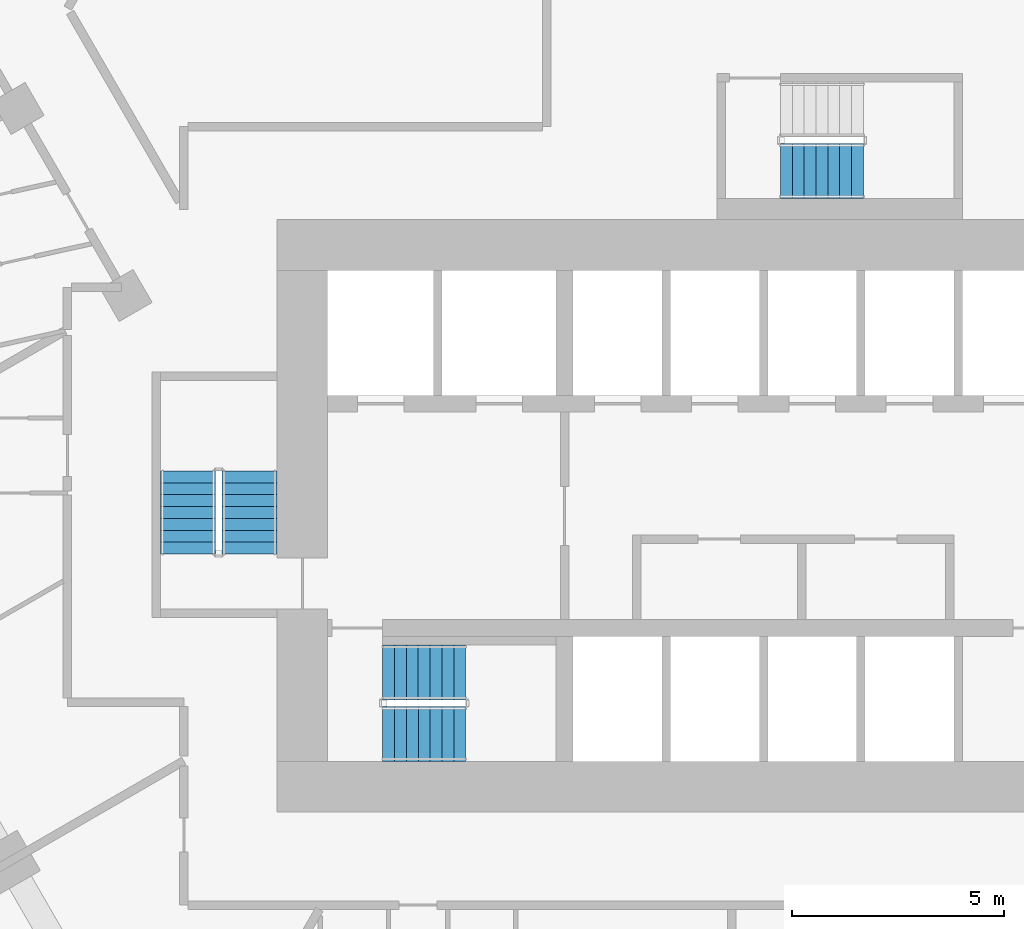
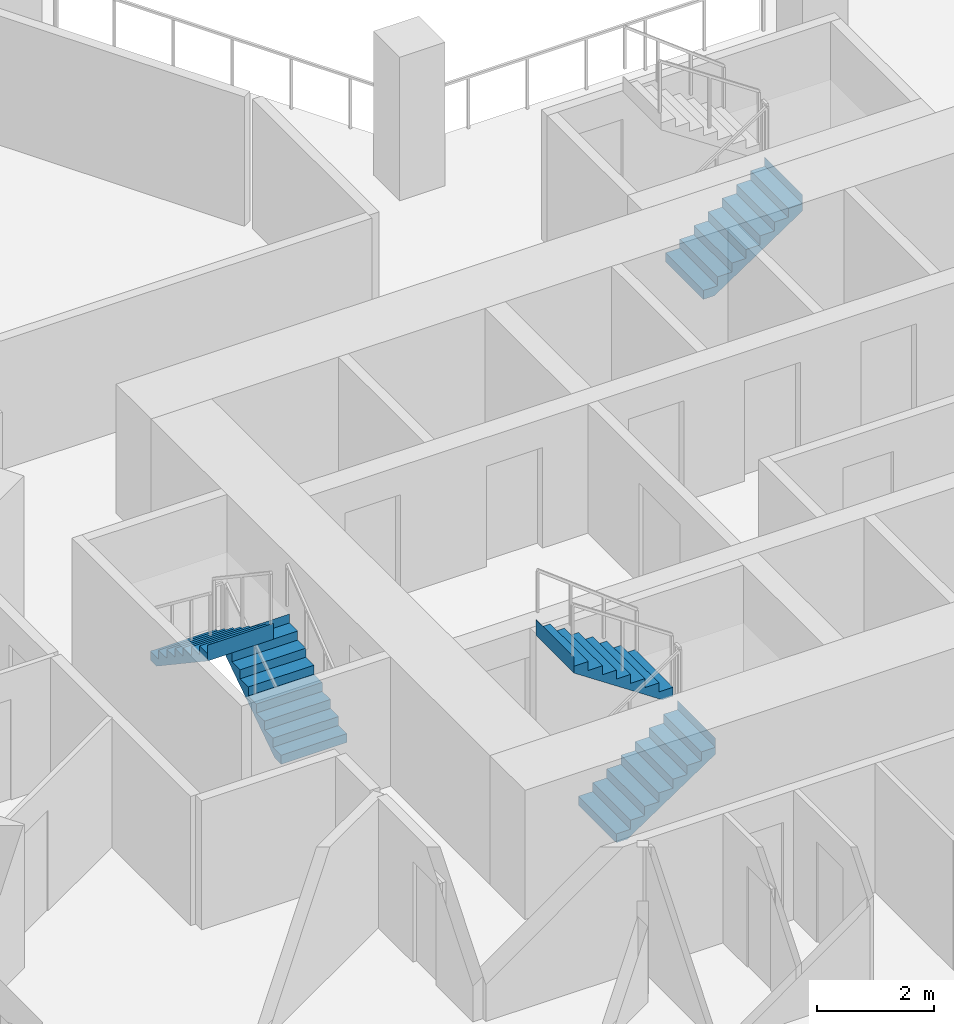
# One storey, part 11 of 16: 5 stair flights, 3 elements without a shape of their own.
"""IFC4 building model written with IfcOpenShell, lengths in metres."""

from ifc_helpers import new_model, si_unit, direction, frame, origin, place, context, subcontext, project, spatial, triangles, material, type_object, element, aggregate, save


model = new_model("IFC4")

# Units and contexts
model_context = context("Model", 3, precision=1e-05, world=origin(), true_north=direction((0.0, 1.0)))
body_context = subcontext(model_context, "Body", "Model", "MODEL_VIEW")
ifc_project = project(units=[si_unit("LENGTHUNIT", "METRE"), si_unit("AREAUNIT", "SQUARE_METRE"), si_unit("VOLUMEUNIT", "CUBIC_METRE"), si_unit("PLANEANGLEUNIT", "RADIAN"), si_unit("MASSUNIT", "GRAM", prefix="KILO")], contexts=[model_context])

# Site, building, storey
site_placement = place(None, origin())
site = spatial("IfcSite", under=ifc_project, at=site_placement, CompositionType="ELEMENT")
building_placement = place(site_placement, origin())
building = spatial("IfcBuilding", under=site, at=building_placement, Name="Beryl Residences", CompositionType="ELEMENT")
storey_placement = place(building_placement, frame((0.0, 0.0, 44.39990234375)))
storey = spatial("IfcBuildingStorey", under=building, at=storey_placement, Name="L13", CompositionType="ELEMENT", Elevation=44.39990234375)

# Stair, stair flights
ifc_material_1 = material(Name="Concrete C40/50", Category="concrete")
stair_type = type_object("IfcStairType", Name="ST1 protected exit stair, half-turn, 1300 mm flights", PredefinedType="HALF_TURN_STAIR", material=ifc_material_1)
stair_1_placement = place(storey_placement, origin())
stair_1 = element("IfcStair", 1, at=stair_1_placement, inside=storey, type_object=stair_type, Name="L13 PROTECTED EXIT STAIR ST-1", PredefinedType="HALF_TURN_STAIR")
ifc_material_2 = material(Name="Concrete C40/50", Category="concrete")
stair_flight_type = type_object("IfcStairFlightType", Name="SF1 stair flight 1300 mm", PredefinedType="STRAIGHT", material=ifc_material_2)
stair_flight_1_placement = place(storey_placement, frame((-10.800048828125, -17.14990234375, 0.0), z_axis=(0.0, 0.0, 1.0), x_axis=(1.0, 0.0, 0.0)))
stair_flight_1 = element("IfcStairFlight", 2, at=stair_flight_1_placement, type_object=stair_flight_type, Name="ST-1 flight 1", NumberOfRisers=8, NumberOfTreads=7, PredefinedType="STRAIGHT", RiserHeight=0.1875, TreadLength=0.28, context=body_context, shape_type="Tessellation", body=[
    triangles([(0.0, -0.64990234375, 0.0), (0.0, -0.324951171875, 0.0), (0.0, 0.0, 0.0), (0.0, 0.324951171875, 0.0), (0.0, 0.64990234375, 0.0), (0.0, -0.64990234375, 0.1875), (0.0, -0.324951171875, 0.1875), (0.0, 0.0, 0.1875), (0.0, 0.324951171875, 0.1875), (0.0, 0.64990234375, 0.1875), (0.280029296875, -0.64990234375, 0.1875), (0.280029296875, -0.324951171875, 0.1875), (0.280029296875, 0.0, 0.1875), (0.280029296875, 0.324951171875, 0.1875), (0.280029296875, 0.64990234375, 0.1875), (0.280029296875, -0.64990234375, 0.375), (0.280029296875, -0.324951171875, 0.375), (0.280029296875, 0.0, 0.375), (0.280029296875, 0.324951171875, 0.375), (0.280029296875, 0.64990234375, 0.375), (0.56005859375, -0.64990234375, 0.375), (0.56005859375, -0.324951171875, 0.375), (0.56005859375, 0.0, 0.375), (0.56005859375, 0.324951171875, 0.375), (0.56005859375, 0.64990234375, 0.375), (0.56005859375, -0.64990234375, 0.5625), (0.56005859375, -0.324951171875, 0.5625), (0.56005859375, 0.0, 0.5625), (0.56005859375, 0.324951171875, 0.5625), (0.56005859375, 0.64990234375, 0.5625), (0.840087890625, -0.64990234375, 0.5625), (0.840087890625, -0.324951171875, 0.5625), (0.840087890625, 0.0, 0.5625), (0.840087890625, 0.324951171875, 0.5625), (0.840087890625, 0.64990234375, 0.5625), (0.840087890625, -0.64990234375, 0.75), (0.840087890625, -0.324951171875, 0.75), (0.840087890625, 0.0, 0.75), (0.840087890625, 0.324951171875, 0.75), (0.840087890625, 0.64990234375, 0.75), (1.1201171875, -0.64990234375, 0.75), (1.1201171875, -0.324951171875, 0.75), (1.1201171875, 0.0, 0.75), (1.1201171875, 0.324951171875, 0.75), (1.1201171875, 0.64990234375, 0.75), (1.1201171875, -0.64990234375, 0.9375), (1.1201171875, -0.324951171875, 0.9375), (1.1201171875, 0.0, 0.9375), (1.1201171875, 0.324951171875, 0.9375), (1.1201171875, 0.64990234375, 0.9375), (1.39990234375, -0.64990234375, 0.9375), (1.39990234375, -0.324951171875, 0.9375), (1.39990234375, 0.0, 0.9375), (1.39990234375, 0.324951171875, 0.9375), (1.39990234375, 0.64990234375, 0.9375), (1.39990234375, -0.64990234375, 1.125), (1.39990234375, -0.324951171875, 1.125), (1.39990234375, 0.0, 1.125), (1.39990234375, 0.324951171875, 1.125), (1.39990234375, 0.64990234375, 1.125), (1.679931640625, -0.64990234375, 1.125), (1.679931640625, -0.324951171875, 1.125), (1.679931640625, 0.0, 1.125), (1.679931640625, 0.324951171875, 1.125), (1.679931640625, 0.64990234375, 1.125), (1.679931640625, -0.64990234375, 1.3125), (1.679931640625, -0.324951171875, 1.3125), (1.679931640625, 0.0, 1.3125), (1.679931640625, 0.324951171875, 1.3125), (1.679931640625, 0.64990234375, 1.3125), (1.9599609375, -0.64990234375, 1.3125), (1.9599609375, -0.324951171875, 1.3125), (1.9599609375, 0.0, 1.3125), (1.9599609375, 0.324951171875, 1.3125), (1.9599609375, 0.64990234375, 1.3125), (1.9599609375, -0.64990234375, 1.5), (1.9599609375, -0.324951171875, 1.5), (1.9599609375, 0.0, 1.5), (1.9599609375, 0.324951171875, 1.5), (1.9599609375, 0.64990234375, 1.5), (1.9609375, -0.64990234375, 1.5), (1.9609375, -0.324951171875, 1.5), (1.9609375, 0.0, 1.5), (1.9609375, 0.324951171875, 1.5), (1.9609375, 0.64990234375, 1.5), (1.9609375, -0.64990234375, 1.16796875), (1.9609375, -0.324951171875, 1.16796875), (1.9609375, 0.0, 1.16796875), (1.9609375, 0.324951171875, 1.16796875), (1.9609375, 0.64990234375, 1.16796875), (0.216796875, -0.64990234375, 0.0), (0.216796875, -0.324951171875, 0.0), (0.216796875, 0.0, 0.0), (0.216796875, 0.324951171875, 0.0), (0.216796875, 0.64990234375, 0.0)], [[1, 6, 7], [1, 7, 2], [2, 7, 8], [2, 8, 3], [3, 8, 9], [3, 9, 4], [4, 9, 10], [4, 10, 5], [6, 11, 12], [6, 12, 7], [7, 12, 13], [7, 13, 8], [8, 13, 14], [8, 14, 9], [9, 14, 15], [9, 15, 10], [11, 16, 17], [11, 17, 12], [12, 17, 18], [12, 18, 13], [13, 18, 19], [13, 19, 14], [14, 19, 20], [14, 20, 15], [16, 21, 22], [16, 22, 17], [17, 22, 23], [17, 23, 18], [18, 23, 24], [18, 24, 19], [19, 24, 25], [19, 25, 20], [21, 26, 27], [21, 27, 22], [22, 27, 28], [22, 28, 23], [23, 28, 29], [23, 29, 24], [24, 29, 30], [24, 30, 25], [26, 31, 32], [26, 32, 27], [27, 32, 33], [27, 33, 28], [28, 33, 34], [28, 34, 29], [29, 34, 35], [29, 35, 30], [31, 36, 37], [31, 37, 32], [32, 37, 38], [32, 38, 33], [33, 38, 39], [33, 39, 34], [34, 39, 40], [34, 40, 35], [36, 41, 42], [36, 42, 37], [37, 42, 43], [37, 43, 38], [38, 43, 44], [38, 44, 39], [39, 44, 45], [39, 45, 40], [41, 46, 47], [41, 47, 42], [42, 47, 48], [42, 48, 43], [43, 48, 49], [43, 49, 44], [44, 49, 50], [44, 50, 45], [46, 51, 52], [46, 52, 47], [47, 52, 53], [47, 53, 48], [48, 53, 54], [48, 54, 49], [49, 54, 55], [49, 55, 50], [51, 56, 57], [51, 57, 52], [52, 57, 58], [52, 58, 53], [53, 58, 59], [53, 59, 54], [54, 59, 60], [54, 60, 55], [56, 61, 62], [56, 62, 57], [57, 62, 63], [57, 63, 58], [58, 63, 64], [58, 64, 59], [59, 64, 65], [59, 65, 60], [61, 66, 67], [61, 67, 62], [62, 67, 68], [62, 68, 63], [63, 68, 69], [63, 69, 64], [64, 69, 70], [64, 70, 65], [66, 71, 72], [66, 72, 67], [67, 72, 73], [67, 73, 68], [68, 73, 74], [68, 74, 69], [69, 74, 75], [69, 75, 70], [71, 76, 77], [71, 77, 72], [72, 77, 78], [72, 78, 73], [73, 78, 79], [73, 79, 74], [74, 79, 80], [74, 80, 75], [76, 81, 82], [76, 82, 77], [77, 82, 83], [77, 83, 78], [78, 83, 84], [78, 84, 79], [79, 84, 85], [79, 85, 80], [81, 86, 87], [81, 87, 82], [82, 87, 88], [82, 88, 83], [83, 88, 89], [83, 89, 84], [84, 89, 90], [84, 90, 85], [86, 91, 92], [86, 92, 87], [87, 92, 93], [87, 93, 88], [88, 93, 94], [88, 94, 89], [89, 94, 95], [89, 95, 90], [91, 1, 2], [91, 2, 92], [92, 2, 3], [92, 3, 93], [93, 3, 4], [93, 4, 94], [94, 4, 5], [94, 5, 95], [1, 91, 86], [5, 90, 95], [86, 81, 76], [90, 80, 85], [86, 76, 71], [90, 75, 80], [86, 71, 66], [90, 70, 75], [86, 66, 61], [90, 65, 70], [61, 56, 51], [65, 55, 60], [86, 61, 51], [90, 55, 65], [51, 46, 41], [55, 45, 50], [86, 51, 41], [90, 45, 55], [41, 36, 31], [45, 35, 40], [86, 41, 31], [90, 35, 45], [31, 26, 21], [35, 25, 30], [86, 31, 21], [90, 25, 35], [21, 16, 11], [25, 15, 20], [86, 21, 11], [90, 15, 25], [1, 86, 11], [5, 15, 90], [11, 6, 1], [15, 5, 10]], closed=True),
])
stair_flight_2_placement = place(storey_placement, frame((-8.840087890625, -15.699951171875, 1.5), z_axis=(0.0, 0.0, 1.0), x_axis=(-1.0, 0.0, 0.0)))
stair_flight_2 = element("IfcStairFlight", 3, at=stair_flight_2_placement, type_object=stair_flight_type, Name="ST-1 flight 2", NumberOfRisers=8, NumberOfTreads=7, PredefinedType="STRAIGHT", RiserHeight=0.1875, TreadLength=0.28, context=body_context, shape_type="Tessellation", body=[
    triangles([(0.0, -0.64990234375, 0.0), (0.0, -0.324951171875, 0.0), (0.0, 0.0, 0.0), (0.0, 0.324951171875, 0.0), (0.0, 0.64990234375, 0.0), (0.0, -0.64990234375, 0.1875), (0.0, -0.324951171875, 0.1875), (0.0, 0.0, 0.1875), (0.0, 0.324951171875, 0.1875), (0.0, 0.64990234375, 0.1875), (0.280029296875, -0.64990234375, 0.1875), (0.280029296875, -0.324951171875, 0.1875), (0.280029296875, 0.0, 0.1875), (0.280029296875, 0.324951171875, 0.1875), (0.280029296875, 0.64990234375, 0.1875), (0.280029296875, -0.64990234375, 0.375), (0.280029296875, -0.324951171875, 0.375), (0.280029296875, 0.0, 0.375), (0.280029296875, 0.324951171875, 0.375), (0.280029296875, 0.64990234375, 0.375), (0.56005859375, -0.64990234375, 0.375), (0.56005859375, -0.324951171875, 0.375), (0.56005859375, 0.0, 0.375), (0.56005859375, 0.324951171875, 0.375), (0.56005859375, 0.64990234375, 0.375), (0.56005859375, -0.64990234375, 0.5625), (0.56005859375, -0.324951171875, 0.5625), (0.56005859375, 0.0, 0.5625), (0.56005859375, 0.324951171875, 0.5625), (0.56005859375, 0.64990234375, 0.5625), (0.840087890625, -0.64990234375, 0.5625), (0.840087890625, -0.324951171875, 0.5625), (0.840087890625, 0.0, 0.5625), (0.840087890625, 0.324951171875, 0.5625), (0.840087890625, 0.64990234375, 0.5625), (0.840087890625, -0.64990234375, 0.75), (0.840087890625, -0.324951171875, 0.75), (0.840087890625, 0.0, 0.75), (0.840087890625, 0.324951171875, 0.75), (0.840087890625, 0.64990234375, 0.75), (1.1201171875, -0.64990234375, 0.75), (1.1201171875, -0.324951171875, 0.75), (1.1201171875, 0.0, 0.75), (1.1201171875, 0.324951171875, 0.75), (1.1201171875, 0.64990234375, 0.75), (1.1201171875, -0.64990234375, 0.9375), (1.1201171875, -0.324951171875, 0.9375), (1.1201171875, 0.0, 0.9375), (1.1201171875, 0.324951171875, 0.9375), (1.1201171875, 0.64990234375, 0.9375), (1.39990234375, -0.64990234375, 0.9375), (1.39990234375, -0.324951171875, 0.9375), (1.39990234375, 0.0, 0.9375), (1.39990234375, 0.324951171875, 0.9375), (1.39990234375, 0.64990234375, 0.9375), (1.39990234375, -0.64990234375, 1.125), (1.39990234375, -0.324951171875, 1.125), (1.39990234375, 0.0, 1.125), (1.39990234375, 0.324951171875, 1.125), (1.39990234375, 0.64990234375, 1.125), (1.679931640625, -0.64990234375, 1.125), (1.679931640625, -0.324951171875, 1.125), (1.679931640625, 0.0, 1.125), (1.679931640625, 0.324951171875, 1.125), (1.679931640625, 0.64990234375, 1.125), (1.679931640625, -0.64990234375, 1.3125), (1.679931640625, -0.324951171875, 1.3125), (1.679931640625, 0.0, 1.3125), (1.679931640625, 0.324951171875, 1.3125), (1.679931640625, 0.64990234375, 1.3125), (1.9599609375, -0.64990234375, 1.3125), (1.9599609375, -0.324951171875, 1.3125), (1.9599609375, 0.0, 1.3125), (1.9599609375, 0.324951171875, 1.3125), (1.9599609375, 0.64990234375, 1.3125), (1.9599609375, -0.64990234375, 1.5), (1.9599609375, -0.324951171875, 1.5), (1.9599609375, 0.0, 1.5), (1.9599609375, 0.324951171875, 1.5), (1.9599609375, 0.64990234375, 1.5), (1.9609375, -0.64990234375, 1.5), (1.9609375, -0.324951171875, 1.5), (1.9609375, 0.0, 1.5), (1.9609375, 0.324951171875, 1.5), (1.9609375, 0.64990234375, 1.5), (1.9609375, -0.64990234375, 1.16796875), (1.9609375, -0.324951171875, 1.16796875), (1.9609375, 0.0, 1.16796875), (1.9609375, 0.324951171875, 1.16796875), (1.9609375, 0.64990234375, 1.16796875), (0.216796875, -0.64990234375, 0.0), (0.216796875, -0.324951171875, 0.0), (0.216796875, 0.0, 0.0), (0.216796875, 0.324951171875, 0.0), (0.216796875, 0.64990234375, 0.0)], [[1, 6, 7], [1, 7, 2], [2, 7, 8], [2, 8, 3], [3, 8, 9], [3, 9, 4], [4, 9, 10], [4, 10, 5], [6, 11, 12], [6, 12, 7], [7, 12, 13], [7, 13, 8], [8, 13, 14], [8, 14, 9], [9, 14, 15], [9, 15, 10], [11, 16, 17], [11, 17, 12], [12, 17, 18], [12, 18, 13], [13, 18, 19], [13, 19, 14], [14, 19, 20], [14, 20, 15], [16, 21, 22], [16, 22, 17], [17, 22, 23], [17, 23, 18], [18, 23, 24], [18, 24, 19], [19, 24, 25], [19, 25, 20], [21, 26, 27], [21, 27, 22], [22, 27, 28], [22, 28, 23], [23, 28, 29], [23, 29, 24], [24, 29, 30], [24, 30, 25], [26, 31, 32], [26, 32, 27], [27, 32, 33], [27, 33, 28], [28, 33, 34], [28, 34, 29], [29, 34, 35], [29, 35, 30], [31, 36, 37], [31, 37, 32], [32, 37, 38], [32, 38, 33], [33, 38, 39], [33, 39, 34], [34, 39, 40], [34, 40, 35], [36, 41, 42], [36, 42, 37], [37, 42, 43], [37, 43, 38], [38, 43, 44], [38, 44, 39], [39, 44, 45], [39, 45, 40], [41, 46, 47], [41, 47, 42], [42, 47, 48], [42, 48, 43], [43, 48, 49], [43, 49, 44], [44, 49, 50], [44, 50, 45], [46, 51, 52], [46, 52, 47], [47, 52, 53], [47, 53, 48], [48, 53, 54], [48, 54, 49], [49, 54, 55], [49, 55, 50], [51, 56, 57], [51, 57, 52], [52, 57, 58], [52, 58, 53], [53, 58, 59], [53, 59, 54], [54, 59, 60], [54, 60, 55], [56, 61, 62], [56, 62, 57], [57, 62, 63], [57, 63, 58], [58, 63, 64], [58, 64, 59], [59, 64, 65], [59, 65, 60], [61, 66, 67], [61, 67, 62], [62, 67, 68], [62, 68, 63], [63, 68, 69], [63, 69, 64], [64, 69, 70], [64, 70, 65], [66, 71, 72], [66, 72, 67], [67, 72, 73], [67, 73, 68], [68, 73, 74], [68, 74, 69], [69, 74, 75], [69, 75, 70], [71, 76, 77], [71, 77, 72], [72, 77, 78], [72, 78, 73], [73, 78, 79], [73, 79, 74], [74, 79, 80], [74, 80, 75], [76, 81, 82], [76, 82, 77], [77, 82, 83], [77, 83, 78], [78, 83, 84], [78, 84, 79], [79, 84, 85], [79, 85, 80], [81, 86, 87], [81, 87, 82], [82, 87, 88], [82, 88, 83], [83, 88, 89], [83, 89, 84], [84, 89, 90], [84, 90, 85], [86, 91, 92], [86, 92, 87], [87, 92, 93], [87, 93, 88], [88, 93, 94], [88, 94, 89], [89, 94, 95], [89, 95, 90], [91, 1, 2], [91, 2, 92], [92, 2, 3], [92, 3, 93], [93, 3, 4], [93, 4, 94], [94, 4, 5], [94, 5, 95], [1, 91, 86], [5, 90, 95], [86, 81, 76], [90, 80, 85], [86, 76, 71], [90, 75, 80], [86, 71, 66], [90, 70, 75], [86, 66, 61], [90, 65, 70], [61, 56, 51], [65, 55, 60], [86, 61, 51], [90, 55, 65], [51, 46, 41], [55, 45, 50], [86, 51, 41], [90, 45, 55], [41, 36, 31], [45, 35, 40], [86, 41, 31], [90, 35, 45], [31, 26, 21], [35, 25, 30], [86, 31, 21], [90, 25, 35], [21, 16, 11], [25, 15, 20], [86, 21, 11], [90, 15, 25], [1, 86, 11], [5, 15, 90], [11, 6, 1], [15, 5, 10]], closed=True),
])
aggregate(stair_1, [stair_flight_1, stair_flight_2])

stair_2_placement = place(storey_placement, origin())
stair_2 = element("IfcStair", 4, at=stair_2_placement, inside=storey, type_object=stair_type, Name="L13 PROTECTED EXIT STAIR ST-2", PredefinedType="HALF_TURN_STAIR")
stair_flight_3_placement = place(storey_placement, frame((-13.949951171875, -12.89990234375, 0.0), z_axis=(0.0, 0.0, 1.0), x_axis=(0.0, 1.0, 0.0)))
stair_flight_3 = element("IfcStairFlight", 5, at=stair_flight_3_placement, type_object=stair_flight_type, Name="ST-2 flight 1", NumberOfRisers=8, NumberOfTreads=7, PredefinedType="STRAIGHT", RiserHeight=0.1875, TreadLength=0.28, context=body_context, shape_type="Tessellation", body=[
    triangles([(0.0, -0.64990234375, 0.0), (0.0, -0.324951171875, 0.0), (0.0, 0.0, 0.0), (0.0, 0.324951171875, 0.0), (0.0, 0.64990234375, 0.0), (0.0, -0.64990234375, 0.1875), (0.0, -0.324951171875, 0.1875), (0.0, 0.0, 0.1875), (0.0, 0.324951171875, 0.1875), (0.0, 0.64990234375, 0.1875), (0.280029296875, -0.64990234375, 0.1875), (0.280029296875, -0.324951171875, 0.1875), (0.280029296875, 0.0, 0.1875), (0.280029296875, 0.324951171875, 0.1875), (0.280029296875, 0.64990234375, 0.1875), (0.280029296875, -0.64990234375, 0.375), (0.280029296875, -0.324951171875, 0.375), (0.280029296875, 0.0, 0.375), (0.280029296875, 0.324951171875, 0.375), (0.280029296875, 0.64990234375, 0.375), (0.56005859375, -0.64990234375, 0.375), (0.56005859375, -0.324951171875, 0.375), (0.56005859375, 0.0, 0.375), (0.56005859375, 0.324951171875, 0.375), (0.56005859375, 0.64990234375, 0.375), (0.56005859375, -0.64990234375, 0.5625), (0.56005859375, -0.324951171875, 0.5625), (0.56005859375, 0.0, 0.5625), (0.56005859375, 0.324951171875, 0.5625), (0.56005859375, 0.64990234375, 0.5625), (0.840087890625, -0.64990234375, 0.5625), (0.840087890625, -0.324951171875, 0.5625), (0.840087890625, 0.0, 0.5625), (0.840087890625, 0.324951171875, 0.5625), (0.840087890625, 0.64990234375, 0.5625), (0.840087890625, -0.64990234375, 0.75), (0.840087890625, -0.324951171875, 0.75), (0.840087890625, 0.0, 0.75), (0.840087890625, 0.324951171875, 0.75), (0.840087890625, 0.64990234375, 0.75), (1.1201171875, -0.64990234375, 0.75), (1.1201171875, -0.324951171875, 0.75), (1.1201171875, 0.0, 0.75), (1.1201171875, 0.324951171875, 0.75), (1.1201171875, 0.64990234375, 0.75), (1.1201171875, -0.64990234375, 0.9375), (1.1201171875, -0.324951171875, 0.9375), (1.1201171875, 0.0, 0.9375), (1.1201171875, 0.324951171875, 0.9375), (1.1201171875, 0.64990234375, 0.9375), (1.39990234375, -0.64990234375, 0.9375), (1.39990234375, -0.324951171875, 0.9375), (1.39990234375, 0.0, 0.9375), (1.39990234375, 0.324951171875, 0.9375), (1.39990234375, 0.64990234375, 0.9375), (1.39990234375, -0.64990234375, 1.125), (1.39990234375, -0.324951171875, 1.125), (1.39990234375, 0.0, 1.125), (1.39990234375, 0.324951171875, 1.125), (1.39990234375, 0.64990234375, 1.125), (1.679931640625, -0.64990234375, 1.125), (1.679931640625, -0.324951171875, 1.125), (1.679931640625, 0.0, 1.125), (1.679931640625, 0.324951171875, 1.125), (1.679931640625, 0.64990234375, 1.125), (1.679931640625, -0.64990234375, 1.3125), (1.679931640625, -0.324951171875, 1.3125), (1.679931640625, 0.0, 1.3125), (1.679931640625, 0.324951171875, 1.3125), (1.679931640625, 0.64990234375, 1.3125), (1.9599609375, -0.64990234375, 1.3125), (1.9599609375, -0.324951171875, 1.3125), (1.9599609375, 0.0, 1.3125), (1.9599609375, 0.324951171875, 1.3125), (1.9599609375, 0.64990234375, 1.3125), (1.9599609375, -0.64990234375, 1.5), (1.9599609375, -0.324951171875, 1.5), (1.9599609375, 0.0, 1.5), (1.9599609375, 0.324951171875, 1.5), (1.9599609375, 0.64990234375, 1.5), (1.9609375, -0.64990234375, 1.5), (1.9609375, -0.324951171875, 1.5), (1.9609375, 0.0, 1.5), (1.9609375, 0.324951171875, 1.5), (1.9609375, 0.64990234375, 1.5), (1.9609375, -0.64990234375, 1.16796875), (1.9609375, -0.324951171875, 1.16796875), (1.9609375, 0.0, 1.16796875), (1.9609375, 0.324951171875, 1.16796875), (1.9609375, 0.64990234375, 1.16796875), (0.216796875, -0.64990234375, 0.0), (0.216796875, -0.324951171875, 0.0), (0.216796875, 0.0, 0.0), (0.216796875, 0.324951171875, 0.0), (0.216796875, 0.64990234375, 0.0)], [[1, 6, 7], [1, 7, 2], [2, 7, 8], [2, 8, 3], [3, 8, 9], [3, 9, 4], [4, 9, 10], [4, 10, 5], [6, 11, 12], [6, 12, 7], [7, 12, 13], [7, 13, 8], [8, 13, 14], [8, 14, 9], [9, 14, 15], [9, 15, 10], [11, 16, 17], [11, 17, 12], [12, 17, 18], [12, 18, 13], [13, 18, 19], [13, 19, 14], [14, 19, 20], [14, 20, 15], [16, 21, 22], [16, 22, 17], [17, 22, 23], [17, 23, 18], [18, 23, 24], [18, 24, 19], [19, 24, 25], [19, 25, 20], [21, 26, 27], [21, 27, 22], [22, 27, 28], [22, 28, 23], [23, 28, 29], [23, 29, 24], [24, 29, 30], [24, 30, 25], [26, 31, 32], [26, 32, 27], [27, 32, 33], [27, 33, 28], [28, 33, 34], [28, 34, 29], [29, 34, 35], [29, 35, 30], [31, 36, 37], [31, 37, 32], [32, 37, 38], [32, 38, 33], [33, 38, 39], [33, 39, 34], [34, 39, 40], [34, 40, 35], [36, 41, 42], [36, 42, 37], [37, 42, 43], [37, 43, 38], [38, 43, 44], [38, 44, 39], [39, 44, 45], [39, 45, 40], [41, 46, 47], [41, 47, 42], [42, 47, 48], [42, 48, 43], [43, 48, 49], [43, 49, 44], [44, 49, 50], [44, 50, 45], [46, 51, 52], [46, 52, 47], [47, 52, 53], [47, 53, 48], [48, 53, 54], [48, 54, 49], [49, 54, 55], [49, 55, 50], [51, 56, 57], [51, 57, 52], [52, 57, 58], [52, 58, 53], [53, 58, 59], [53, 59, 54], [54, 59, 60], [54, 60, 55], [56, 61, 62], [56, 62, 57], [57, 62, 63], [57, 63, 58], [58, 63, 64], [58, 64, 59], [59, 64, 65], [59, 65, 60], [61, 66, 67], [61, 67, 62], [62, 67, 68], [62, 68, 63], [63, 68, 69], [63, 69, 64], [64, 69, 70], [64, 70, 65], [66, 71, 72], [66, 72, 67], [67, 72, 73], [67, 73, 68], [68, 73, 74], [68, 74, 69], [69, 74, 75], [69, 75, 70], [71, 76, 77], [71, 77, 72], [72, 77, 78], [72, 78, 73], [73, 78, 79], [73, 79, 74], [74, 79, 80], [74, 80, 75], [76, 81, 82], [76, 82, 77], [77, 82, 83], [77, 83, 78], [78, 83, 84], [78, 84, 79], [79, 84, 85], [79, 85, 80], [81, 86, 87], [81, 87, 82], [82, 87, 88], [82, 88, 83], [83, 88, 89], [83, 89, 84], [84, 89, 90], [84, 90, 85], [86, 91, 92], [86, 92, 87], [87, 92, 93], [87, 93, 88], [88, 93, 94], [88, 94, 89], [89, 94, 95], [89, 95, 90], [91, 1, 2], [91, 2, 92], [92, 2, 3], [92, 3, 93], [93, 3, 4], [93, 4, 94], [94, 4, 5], [94, 5, 95], [1, 91, 86], [5, 90, 95], [86, 81, 76], [90, 80, 85], [86, 76, 71], [90, 75, 80], [86, 71, 66], [90, 70, 75], [86, 66, 61], [90, 65, 70], [61, 56, 51], [65, 55, 60], [86, 61, 51], [90, 55, 65], [51, 46, 41], [55, 45, 50], [86, 51, 41], [90, 45, 55], [41, 36, 31], [45, 35, 40], [86, 41, 31], [90, 35, 45], [31, 26, 21], [35, 25, 30], [86, 31, 21], [90, 25, 35], [21, 16, 11], [25, 15, 20], [86, 21, 11], [90, 15, 25], [1, 86, 11], [5, 15, 90], [11, 6, 1], [15, 5, 10]], closed=True),
])
stair_flight_4_placement = place(storey_placement, frame((-15.39990234375, -10.93994140625, 1.5), z_axis=(0.0, 0.0, 1.0), x_axis=(0.0, -1.0, 0.0)))
stair_flight_4 = element("IfcStairFlight", 6, at=stair_flight_4_placement, type_object=stair_flight_type, Name="ST-2 flight 2", NumberOfRisers=8, NumberOfTreads=7, PredefinedType="STRAIGHT", RiserHeight=0.1875, TreadLength=0.28, context=body_context, shape_type="Tessellation", body=[
    triangles([(0.0, -0.64990234375, 0.0), (0.0, -0.324951171875, 0.0), (0.0, 0.0, 0.0), (0.0, 0.324951171875, 0.0), (0.0, 0.64990234375, 0.0), (0.0, -0.64990234375, 0.1875), (0.0, -0.324951171875, 0.1875), (0.0, 0.0, 0.1875), (0.0, 0.324951171875, 0.1875), (0.0, 0.64990234375, 0.1875), (0.280029296875, -0.64990234375, 0.1875), (0.280029296875, -0.324951171875, 0.1875), (0.280029296875, 0.0, 0.1875), (0.280029296875, 0.324951171875, 0.1875), (0.280029296875, 0.64990234375, 0.1875), (0.280029296875, -0.64990234375, 0.375), (0.280029296875, -0.324951171875, 0.375), (0.280029296875, 0.0, 0.375), (0.280029296875, 0.324951171875, 0.375), (0.280029296875, 0.64990234375, 0.375), (0.56005859375, -0.64990234375, 0.375), (0.56005859375, -0.324951171875, 0.375), (0.56005859375, 0.0, 0.375), (0.56005859375, 0.324951171875, 0.375), (0.56005859375, 0.64990234375, 0.375), (0.56005859375, -0.64990234375, 0.5625), (0.56005859375, -0.324951171875, 0.5625), (0.56005859375, 0.0, 0.5625), (0.56005859375, 0.324951171875, 0.5625), (0.56005859375, 0.64990234375, 0.5625), (0.840087890625, -0.64990234375, 0.5625), (0.840087890625, -0.324951171875, 0.5625), (0.840087890625, 0.0, 0.5625), (0.840087890625, 0.324951171875, 0.5625), (0.840087890625, 0.64990234375, 0.5625), (0.840087890625, -0.64990234375, 0.75), (0.840087890625, -0.324951171875, 0.75), (0.840087890625, 0.0, 0.75), (0.840087890625, 0.324951171875, 0.75), (0.840087890625, 0.64990234375, 0.75), (1.1201171875, -0.64990234375, 0.75), (1.1201171875, -0.324951171875, 0.75), (1.1201171875, 0.0, 0.75), (1.1201171875, 0.324951171875, 0.75), (1.1201171875, 0.64990234375, 0.75), (1.1201171875, -0.64990234375, 0.9375), (1.1201171875, -0.324951171875, 0.9375), (1.1201171875, 0.0, 0.9375), (1.1201171875, 0.324951171875, 0.9375), (1.1201171875, 0.64990234375, 0.9375), (1.39990234375, -0.64990234375, 0.9375), (1.39990234375, -0.324951171875, 0.9375), (1.39990234375, 0.0, 0.9375), (1.39990234375, 0.324951171875, 0.9375), (1.39990234375, 0.64990234375, 0.9375), (1.39990234375, -0.64990234375, 1.125), (1.39990234375, -0.324951171875, 1.125), (1.39990234375, 0.0, 1.125), (1.39990234375, 0.324951171875, 1.125), (1.39990234375, 0.64990234375, 1.125), (1.679931640625, -0.64990234375, 1.125), (1.679931640625, -0.324951171875, 1.125), (1.679931640625, 0.0, 1.125), (1.679931640625, 0.324951171875, 1.125), (1.679931640625, 0.64990234375, 1.125), (1.679931640625, -0.64990234375, 1.3125), (1.679931640625, -0.324951171875, 1.3125), (1.679931640625, 0.0, 1.3125), (1.679931640625, 0.324951171875, 1.3125), (1.679931640625, 0.64990234375, 1.3125), (1.9599609375, -0.64990234375, 1.3125), (1.9599609375, -0.324951171875, 1.3125), (1.9599609375, 0.0, 1.3125), (1.9599609375, 0.324951171875, 1.3125), (1.9599609375, 0.64990234375, 1.3125), (1.9599609375, -0.64990234375, 1.5), (1.9599609375, -0.324951171875, 1.5), (1.9599609375, 0.0, 1.5), (1.9599609375, 0.324951171875, 1.5), (1.9599609375, 0.64990234375, 1.5), (1.9609375, -0.64990234375, 1.5), (1.9609375, -0.324951171875, 1.5), (1.9609375, 0.0, 1.5), (1.9609375, 0.324951171875, 1.5), (1.9609375, 0.64990234375, 1.5), (1.9609375, -0.64990234375, 1.16796875), (1.9609375, -0.324951171875, 1.16796875), (1.9609375, 0.0, 1.16796875), (1.9609375, 0.324951171875, 1.16796875), (1.9609375, 0.64990234375, 1.16796875), (0.216796875, -0.64990234375, 0.0), (0.216796875, -0.324951171875, 0.0), (0.216796875, 0.0, 0.0), (0.216796875, 0.324951171875, 0.0), (0.216796875, 0.64990234375, 0.0)], [[1, 6, 7], [1, 7, 2], [2, 7, 8], [2, 8, 3], [3, 8, 9], [3, 9, 4], [4, 9, 10], [4, 10, 5], [6, 11, 12], [6, 12, 7], [7, 12, 13], [7, 13, 8], [8, 13, 14], [8, 14, 9], [9, 14, 15], [9, 15, 10], [11, 16, 17], [11, 17, 12], [12, 17, 18], [12, 18, 13], [13, 18, 19], [13, 19, 14], [14, 19, 20], [14, 20, 15], [16, 21, 22], [16, 22, 17], [17, 22, 23], [17, 23, 18], [18, 23, 24], [18, 24, 19], [19, 24, 25], [19, 25, 20], [21, 26, 27], [21, 27, 22], [22, 27, 28], [22, 28, 23], [23, 28, 29], [23, 29, 24], [24, 29, 30], [24, 30, 25], [26, 31, 32], [26, 32, 27], [27, 32, 33], [27, 33, 28], [28, 33, 34], [28, 34, 29], [29, 34, 35], [29, 35, 30], [31, 36, 37], [31, 37, 32], [32, 37, 38], [32, 38, 33], [33, 38, 39], [33, 39, 34], [34, 39, 40], [34, 40, 35], [36, 41, 42], [36, 42, 37], [37, 42, 43], [37, 43, 38], [38, 43, 44], [38, 44, 39], [39, 44, 45], [39, 45, 40], [41, 46, 47], [41, 47, 42], [42, 47, 48], [42, 48, 43], [43, 48, 49], [43, 49, 44], [44, 49, 50], [44, 50, 45], [46, 51, 52], [46, 52, 47], [47, 52, 53], [47, 53, 48], [48, 53, 54], [48, 54, 49], [49, 54, 55], [49, 55, 50], [51, 56, 57], [51, 57, 52], [52, 57, 58], [52, 58, 53], [53, 58, 59], [53, 59, 54], [54, 59, 60], [54, 60, 55], [56, 61, 62], [56, 62, 57], [57, 62, 63], [57, 63, 58], [58, 63, 64], [58, 64, 59], [59, 64, 65], [59, 65, 60], [61, 66, 67], [61, 67, 62], [62, 67, 68], [62, 68, 63], [63, 68, 69], [63, 69, 64], [64, 69, 70], [64, 70, 65], [66, 71, 72], [66, 72, 67], [67, 72, 73], [67, 73, 68], [68, 73, 74], [68, 74, 69], [69, 74, 75], [69, 75, 70], [71, 76, 77], [71, 77, 72], [72, 77, 78], [72, 78, 73], [73, 78, 79], [73, 79, 74], [74, 79, 80], [74, 80, 75], [76, 81, 82], [76, 82, 77], [77, 82, 83], [77, 83, 78], [78, 83, 84], [78, 84, 79], [79, 84, 85], [79, 85, 80], [81, 86, 87], [81, 87, 82], [82, 87, 88], [82, 88, 83], [83, 88, 89], [83, 89, 84], [84, 89, 90], [84, 90, 85], [86, 91, 92], [86, 92, 87], [87, 92, 93], [87, 93, 88], [88, 93, 94], [88, 94, 89], [89, 94, 95], [89, 95, 90], [91, 1, 2], [91, 2, 92], [92, 2, 3], [92, 3, 93], [93, 3, 4], [93, 4, 94], [94, 4, 5], [94, 5, 95], [1, 91, 86], [5, 90, 95], [86, 81, 76], [90, 80, 85], [86, 76, 71], [90, 75, 80], [86, 71, 66], [90, 70, 75], [86, 66, 61], [90, 65, 70], [61, 56, 51], [65, 55, 60], [86, 61, 51], [90, 55, 65], [51, 46, 41], [55, 45, 50], [86, 51, 41], [90, 45, 55], [41, 36, 31], [45, 35, 40], [86, 41, 31], [90, 35, 45], [31, 26, 21], [35, 25, 30], [86, 31, 21], [90, 25, 35], [21, 16, 11], [25, 15, 20], [86, 21, 11], [90, 15, 25], [1, 86, 11], [5, 15, 90], [11, 6, 1], [15, 5, 10]], closed=True),
])
aggregate(stair_2, [stair_flight_3, stair_flight_4])

# Stair, stair flight
stair_3_placement = place(storey_placement, origin())
stair_3 = element("IfcStair", 7, at=stair_3_placement, inside=storey, type_object=stair_type, Name="L13 PROTECTED EXIT STAIR ST-4", PredefinedType="HALF_TURN_STAIR")
stair_flight_5_placement = place(storey_placement, frame((-1.39990234375, -3.85009765625, 0.0), z_axis=(0.0, 0.0, 1.0), x_axis=(1.0, 0.0, 0.0)))
stair_flight_5 = element("IfcStairFlight", 8, at=stair_flight_5_placement, type_object=stair_flight_type, Name="ST-4 flight 1", NumberOfRisers=8, NumberOfTreads=7, PredefinedType="STRAIGHT", RiserHeight=0.1875, TreadLength=0.28, context=body_context, shape_type="Tessellation", body=[
    triangles([(0.0, -0.64990234375, 0.0), (0.0, -0.324951171875, 0.0), (0.0, 0.0, 0.0), (0.0, 0.324951171875, 0.0), (0.0, 0.64990234375, 0.0), (0.0, -0.64990234375, 0.1875), (0.0, -0.324951171875, 0.1875), (0.0, 0.0, 0.1875), (0.0, 0.324951171875, 0.1875), (0.0, 0.64990234375, 0.1875), (0.280029296875, -0.64990234375, 0.1875), (0.280029296875, -0.324951171875, 0.1875), (0.280029296875, 0.0, 0.1875), (0.280029296875, 0.324951171875, 0.1875), (0.280029296875, 0.64990234375, 0.1875), (0.280029296875, -0.64990234375, 0.375), (0.280029296875, -0.324951171875, 0.375), (0.280029296875, 0.0, 0.375), (0.280029296875, 0.324951171875, 0.375), (0.280029296875, 0.64990234375, 0.375), (0.56005859375, -0.64990234375, 0.375), (0.56005859375, -0.324951171875, 0.375), (0.56005859375, 0.0, 0.375), (0.56005859375, 0.324951171875, 0.375), (0.56005859375, 0.64990234375, 0.375), (0.56005859375, -0.64990234375, 0.5625), (0.56005859375, -0.324951171875, 0.5625), (0.56005859375, 0.0, 0.5625), (0.56005859375, 0.324951171875, 0.5625), (0.56005859375, 0.64990234375, 0.5625), (0.840087890625, -0.64990234375, 0.5625), (0.840087890625, -0.324951171875, 0.5625), (0.840087890625, 0.0, 0.5625), (0.840087890625, 0.324951171875, 0.5625), (0.840087890625, 0.64990234375, 0.5625), (0.840087890625, -0.64990234375, 0.75), (0.840087890625, -0.324951171875, 0.75), (0.840087890625, 0.0, 0.75), (0.840087890625, 0.324951171875, 0.75), (0.840087890625, 0.64990234375, 0.75), (1.1201171875, -0.64990234375, 0.75), (1.1201171875, -0.324951171875, 0.75), (1.1201171875, 0.0, 0.75), (1.1201171875, 0.324951171875, 0.75), (1.1201171875, 0.64990234375, 0.75), (1.1201171875, -0.64990234375, 0.9375), (1.1201171875, -0.324951171875, 0.9375), (1.1201171875, 0.0, 0.9375), (1.1201171875, 0.324951171875, 0.9375), (1.1201171875, 0.64990234375, 0.9375), (1.39990234375, -0.64990234375, 0.9375), (1.39990234375, -0.324951171875, 0.9375), (1.39990234375, 0.0, 0.9375), (1.39990234375, 0.324951171875, 0.9375), (1.39990234375, 0.64990234375, 0.9375), (1.39990234375, -0.64990234375, 1.125), (1.39990234375, -0.324951171875, 1.125), (1.39990234375, 0.0, 1.125), (1.39990234375, 0.324951171875, 1.125), (1.39990234375, 0.64990234375, 1.125), (1.679931640625, -0.64990234375, 1.125), (1.679931640625, -0.324951171875, 1.125), (1.679931640625, 0.0, 1.125), (1.679931640625, 0.324951171875, 1.125), (1.679931640625, 0.64990234375, 1.125), (1.679931640625, -0.64990234375, 1.3125), (1.679931640625, -0.324951171875, 1.3125), (1.679931640625, 0.0, 1.3125), (1.679931640625, 0.324951171875, 1.3125), (1.679931640625, 0.64990234375, 1.3125), (1.9599609375, -0.64990234375, 1.3125), (1.9599609375, -0.324951171875, 1.3125), (1.9599609375, 0.0, 1.3125), (1.9599609375, 0.324951171875, 1.3125), (1.9599609375, 0.64990234375, 1.3125), (1.9599609375, -0.64990234375, 1.5), (1.9599609375, -0.324951171875, 1.5), (1.9599609375, 0.0, 1.5), (1.9599609375, 0.324951171875, 1.5), (1.9599609375, 0.64990234375, 1.5), (1.9609375, -0.64990234375, 1.5), (1.9609375, -0.324951171875, 1.5), (1.9609375, 0.0, 1.5), (1.9609375, 0.324951171875, 1.5), (1.9609375, 0.64990234375, 1.5), (1.9609375, -0.64990234375, 1.16796875), (1.9609375, -0.324951171875, 1.16796875), (1.9609375, 0.0, 1.16796875), (1.9609375, 0.324951171875, 1.16796875), (1.9609375, 0.64990234375, 1.16796875), (0.216796875, -0.64990234375, 0.0), (0.216796875, -0.324951171875, 0.0), (0.216796875, 0.0, 0.0), (0.216796875, 0.324951171875, 0.0), (0.216796875, 0.64990234375, 0.0)], [[1, 6, 7], [1, 7, 2], [2, 7, 8], [2, 8, 3], [3, 8, 9], [3, 9, 4], [4, 9, 10], [4, 10, 5], [6, 11, 12], [6, 12, 7], [7, 12, 13], [7, 13, 8], [8, 13, 14], [8, 14, 9], [9, 14, 15], [9, 15, 10], [11, 16, 17], [11, 17, 12], [12, 17, 18], [12, 18, 13], [13, 18, 19], [13, 19, 14], [14, 19, 20], [14, 20, 15], [16, 21, 22], [16, 22, 17], [17, 22, 23], [17, 23, 18], [18, 23, 24], [18, 24, 19], [19, 24, 25], [19, 25, 20], [21, 26, 27], [21, 27, 22], [22, 27, 28], [22, 28, 23], [23, 28, 29], [23, 29, 24], [24, 29, 30], [24, 30, 25], [26, 31, 32], [26, 32, 27], [27, 32, 33], [27, 33, 28], [28, 33, 34], [28, 34, 29], [29, 34, 35], [29, 35, 30], [31, 36, 37], [31, 37, 32], [32, 37, 38], [32, 38, 33], [33, 38, 39], [33, 39, 34], [34, 39, 40], [34, 40, 35], [36, 41, 42], [36, 42, 37], [37, 42, 43], [37, 43, 38], [38, 43, 44], [38, 44, 39], [39, 44, 45], [39, 45, 40], [41, 46, 47], [41, 47, 42], [42, 47, 48], [42, 48, 43], [43, 48, 49], [43, 49, 44], [44, 49, 50], [44, 50, 45], [46, 51, 52], [46, 52, 47], [47, 52, 53], [47, 53, 48], [48, 53, 54], [48, 54, 49], [49, 54, 55], [49, 55, 50], [51, 56, 57], [51, 57, 52], [52, 57, 58], [52, 58, 53], [53, 58, 59], [53, 59, 54], [54, 59, 60], [54, 60, 55], [56, 61, 62], [56, 62, 57], [57, 62, 63], [57, 63, 58], [58, 63, 64], [58, 64, 59], [59, 64, 65], [59, 65, 60], [61, 66, 67], [61, 67, 62], [62, 67, 68], [62, 68, 63], [63, 68, 69], [63, 69, 64], [64, 69, 70], [64, 70, 65], [66, 71, 72], [66, 72, 67], [67, 72, 73], [67, 73, 68], [68, 73, 74], [68, 74, 69], [69, 74, 75], [69, 75, 70], [71, 76, 77], [71, 77, 72], [72, 77, 78], [72, 78, 73], [73, 78, 79], [73, 79, 74], [74, 79, 80], [74, 80, 75], [76, 81, 82], [76, 82, 77], [77, 82, 83], [77, 83, 78], [78, 83, 84], [78, 84, 79], [79, 84, 85], [79, 85, 80], [81, 86, 87], [81, 87, 82], [82, 87, 88], [82, 88, 83], [83, 88, 89], [83, 89, 84], [84, 89, 90], [84, 90, 85], [86, 91, 92], [86, 92, 87], [87, 92, 93], [87, 93, 88], [88, 93, 94], [88, 94, 89], [89, 94, 95], [89, 95, 90], [91, 1, 2], [91, 2, 92], [92, 2, 3], [92, 3, 93], [93, 3, 4], [93, 4, 94], [94, 4, 5], [94, 5, 95], [1, 91, 86], [5, 90, 95], [86, 81, 76], [90, 80, 85], [86, 76, 71], [90, 75, 80], [86, 71, 66], [90, 70, 75], [86, 66, 61], [90, 65, 70], [61, 56, 51], [65, 55, 60], [86, 61, 51], [90, 55, 65], [51, 46, 41], [55, 45, 50], [86, 51, 41], [90, 45, 55], [41, 36, 31], [45, 35, 40], [86, 41, 31], [90, 35, 45], [31, 26, 21], [35, 25, 30], [86, 31, 21], [90, 25, 35], [21, 16, 11], [25, 15, 20], [86, 21, 11], [90, 15, 25], [1, 86, 11], [5, 15, 90], [11, 6, 1], [15, 5, 10]], closed=True),
])
aggregate(stair_3, [stair_flight_5])

save(model, "model.ifc")
